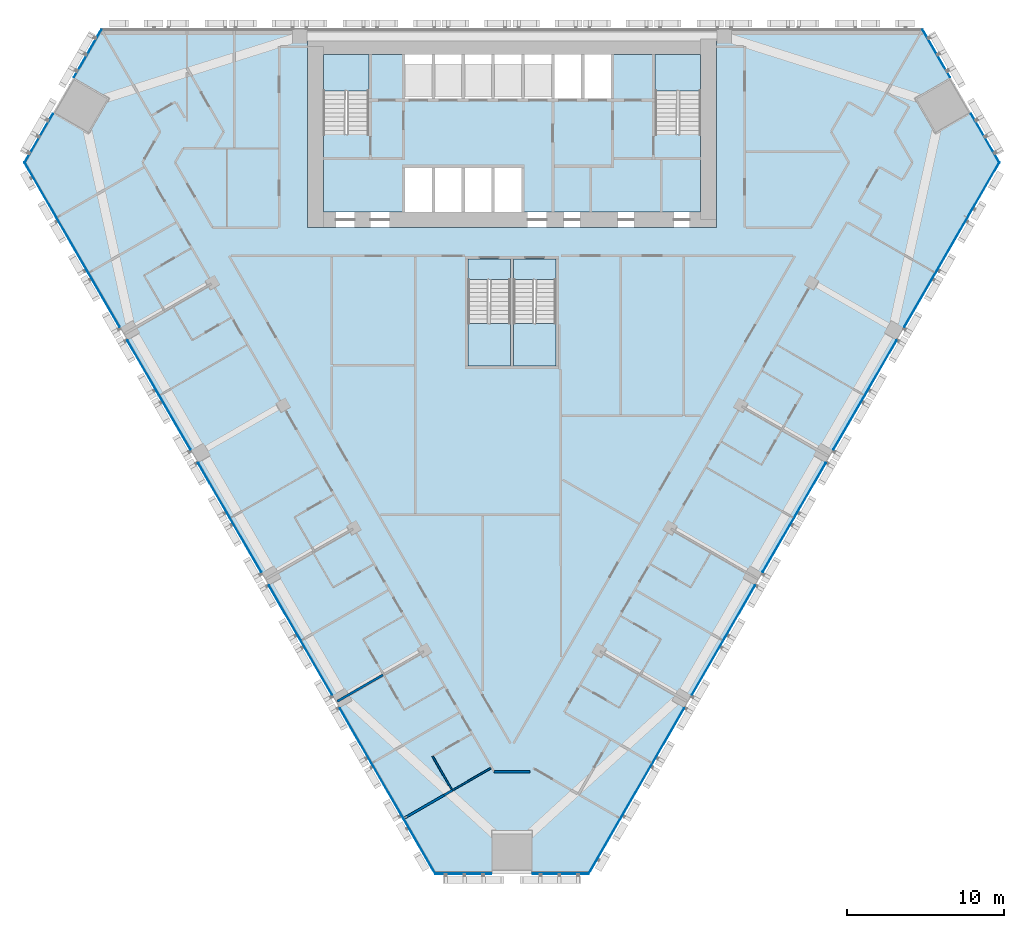
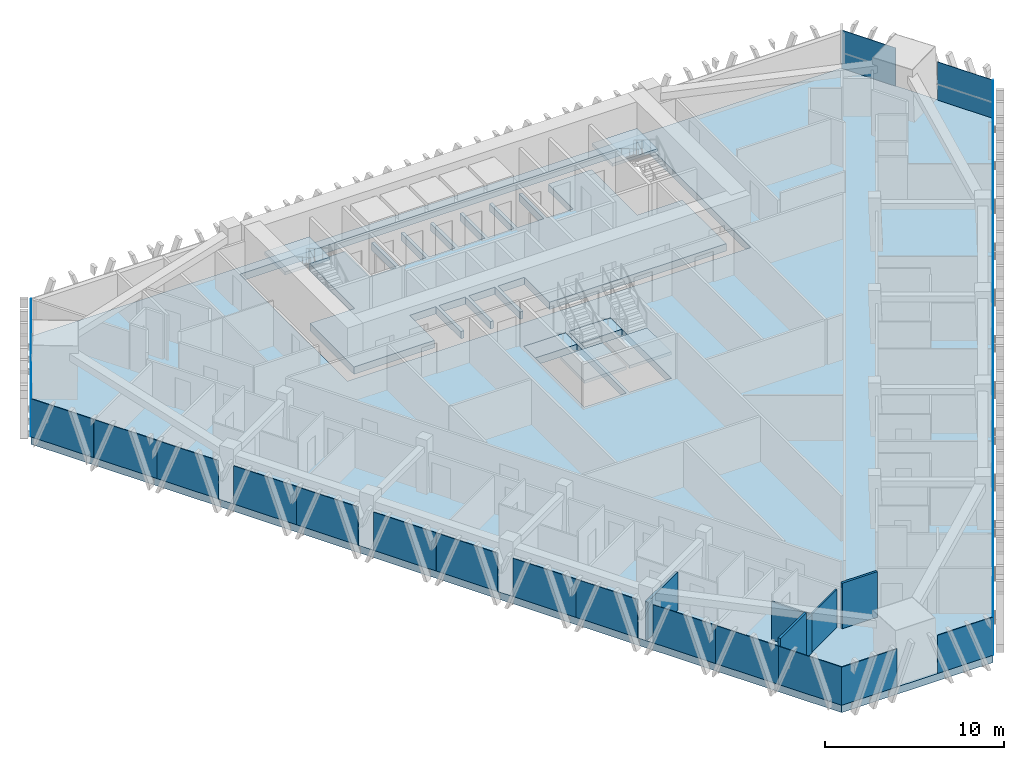
# One storey, part 9 of 18: 30 plates, 8 slabs, 6 walls, 9 elements without a shape of their own.
"""IFC4 building model written with IfcOpenShell, lengths in metres."""

from ifc_helpers import new_model, si_unit, direction, frame, frame_2d, origin, origin_2d, place, context, subcontext, project, spatial, polyline, rectangle, outline, extrude, material, layer, layer_set, type_object, element, aggregate, save


model = new_model("IFC4")

# Units and contexts
model_context = context("Model", 3, precision=1e-05, world=origin(), true_north=direction((0.0, 1.0)))
body_context = subcontext(model_context, "Body", "Model", "MODEL_VIEW")
ifc_project = project(units=[si_unit("LENGTHUNIT", "METRE"), si_unit("AREAUNIT", "SQUARE_METRE"), si_unit("VOLUMEUNIT", "CUBIC_METRE"), si_unit("PLANEANGLEUNIT", "RADIAN"), si_unit("MASSUNIT", "GRAM", prefix="KILO")], contexts=[model_context])

# Site, building, storey
site_placement = place(None, origin())
site = spatial("IfcSite", under=ifc_project, at=site_placement, CompositionType="ELEMENT")
building_placement = place(site_placement, origin())
building = spatial("IfcBuilding", under=site, at=building_placement, Name="Altiplano Prism Tower", CompositionType="ELEMENT")
storey_placement = place(building_placement, frame((0.0, 0.0, 37.800048828125)))
storey = spatial("IfcBuildingStorey", under=building, at=storey_placement, Name="L08", CompositionType="ELEMENT", Elevation=37.800048828125)

# Curtain wall, plates
ifc_material_1 = material(Name="Aluminium and glass", Category="aluminium")
ifc_layer_1 = layer(ifc_material_1, 0.280029296875)
ifc_layer_set_1 = layer_set([ifc_layer_1], Name="Aluminium and glass")
curtain_wall_type = type_object("IfcCurtainWallType", Name="CW1 typical co-living unitised curtain wall", PredefinedType="NOTDEFINED", material=ifc_layer_set_1)
curtain_wall_1_placement = place(storey_placement, origin())
curtain_wall_1 = element("IfcCurtainWall", 1, at=curtain_wall_1_placement, inside=storey, type_object=curtain_wall_type, Name="CW1 curtain wall north-west chamfer L08", PredefinedType="NOTDEFINED")
ifc_material_2 = material(Name="Clear glass", Category="glass")
ifc_layer_2 = layer(ifc_material_2, 0.0400390625)
ifc_layer_set_2 = layer_set([ifc_layer_2], Name="Clear glass")
plate_type = type_object("IfcPlateType", Name="CW1 insulated glass unit 40", PredefinedType="CURTAIN_PANEL", material=ifc_layer_set_2)
plate_1_placement = place(storey_placement, frame((58.01708984375, 103.472412109375, 0.0), z_axis=(0.0, 0.0, 1.0), x_axis=(-0.500000004958, -0.866025400922, 0.0)))
plate_1 = element("IfcPlate", 2, at=plate_1_placement, type_object=plate_type, Name="CW1 panel", PredefinedType="CURTAIN_PANEL", context=body_context, shape_type="SweptSolid", body=[
    extrude(rectangle(XDim=3.49462890625, YDim=0.0400390625, at=origin_2d()), origin(), (0.0, 0.0, 1.0), 2.60009765625),
])
plate_2_placement = place(storey_placement, frame((54.90478515625, 98.081787109375, 0.0), z_axis=(0.0, 0.0, 1.0), x_axis=(-0.500000004958, -0.866025400922, 0.0)))
plate_2 = element("IfcPlate", 3, at=plate_2_placement, type_object=plate_type, Name="CW1 panel", PredefinedType="CURTAIN_PANEL", context=body_context, shape_type="SweptSolid", body=[
    extrude(rectangle(XDim=3.574462890625, YDim=0.0400390625, at=origin_2d()), origin(), (0.0, 0.0, 1.0), 2.60009765625),
])
aggregate(curtain_wall_1, [plate_1, plate_2])

curtain_wall_2_placement = place(storey_placement, origin())
curtain_wall_2 = element("IfcCurtainWall", 4, at=curtain_wall_2_placement, inside=storey, type_object=curtain_wall_type, Name="CW1 curtain wall south-west face L08", PredefinedType="NOTDEFINED")
plate_3_placement = place(storey_placement, frame((55.024169921875, 94.790771484375, 0.0), z_axis=(0.0, 0.0, 1.0), x_axis=(0.499999990447, -0.8660254093, 0.0)))
plate_3 = element("IfcPlate", 5, at=plate_3_placement, type_object=plate_type, Name="CW1 panel", PredefinedType="CURTAIN_PANEL", context=body_context, shape_type="SweptSolid", body=[
    extrude(rectangle(XDim=4.052001953125, YDim=0.0400390625, at=origin_2d()), origin(), (0.0, 0.0, 1.0), 2.60009765625),
])
plate_4_placement = place(storey_placement, frame((57.05517578125, 91.27294921875, 0.0), z_axis=(0.0, 0.0, 1.0), x_axis=(0.499999990447, -0.8660254093, 0.0)))
plate_4 = element("IfcPlate", 6, at=plate_4_placement, type_object=plate_type, Name="CW1 panel", PredefinedType="CURTAIN_PANEL", context=body_context, shape_type="SweptSolid", body=[
    extrude(rectangle(XDim=4.052001953125, YDim=0.0400390625, at=origin_2d()), origin(), (0.0, 0.0, 1.0), 2.60009765625),
])
plate_5_placement = place(storey_placement, frame((59.0634765625, 87.794921875, 0.0), z_axis=(0.0, 0.0, 1.0), x_axis=(0.499999990447, -0.8660254093, 0.0)))
plate_5 = element("IfcPlate", 7, at=plate_5_placement, type_object=plate_type, Name="CW1 panel", PredefinedType="CURTAIN_PANEL", context=body_context, shape_type="SweptSolid", body=[
    extrude(rectangle(XDim=3.96044921875, YDim=0.0400390625, at=origin_2d()), origin(), (0.0, 0.0, 1.0), 2.60009765625),
])
plate_6_placement = place(storey_placement, frame((61.558349609375, 83.473388671875, 0.0), z_axis=(0.0, 0.0, 1.0), x_axis=(0.499999990447, -0.8660254093, 0.0)))
plate_6 = element("IfcPlate", 8, at=plate_6_placement, type_object=plate_type, Name="CW1 panel", PredefinedType="CURTAIN_PANEL", context=body_context, shape_type="SweptSolid", body=[
    extrude(rectangle(XDim=4.039306640625, YDim=0.0400390625, at=origin_2d()), origin(), (0.0, 0.0, 1.0), 2.60009765625),
])
plate_7_placement = place(storey_placement, frame((63.5634765625, 80.00048828125, 0.0), z_axis=(0.0, 0.0, 1.0), x_axis=(0.499999990447, -0.8660254093, 0.0)))
plate_7 = element("IfcPlate", 9, at=plate_7_placement, type_object=plate_type, Name="CW1 panel", PredefinedType="CURTAIN_PANEL", context=body_context, shape_type="SweptSolid", body=[
    extrude(rectangle(XDim=3.96044921875, YDim=0.0400390625, at=origin_2d()), origin(), (0.0, 0.0, 1.0), 2.60009765625),
])
plate_8_placement = place(storey_placement, frame((66.058349609375, 75.678955078125, 0.0), z_axis=(0.0, 0.0, 1.0), x_axis=(0.499999990447, -0.8660254093, 0.0)))
plate_8 = element("IfcPlate", 10, at=plate_8_placement, type_object=plate_type, Name="CW1 panel", PredefinedType="CURTAIN_PANEL", context=body_context, shape_type="SweptSolid", body=[
    extrude(rectangle(XDim=4.039306640625, YDim=0.0400390625, at=origin_2d()), origin(), (0.0, 0.0, 1.0), 2.60009765625),
])
plate_9_placement = place(storey_placement, frame((68.0634765625, 72.206298828125, 0.0), z_axis=(0.0, 0.0, 1.0), x_axis=(0.499999990447, -0.8660254093, 0.0)))
plate_9 = element("IfcPlate", 11, at=plate_9_placement, type_object=plate_type, Name="CW1 panel", PredefinedType="CURTAIN_PANEL", context=body_context, shape_type="SweptSolid", body=[
    extrude(rectangle(XDim=3.96044921875, YDim=0.0400390625, at=origin_2d()), origin(), (0.0, 0.0, 1.0), 2.60009765625),
])
plate_10_placement = place(storey_placement, frame((70.558349609375, 67.884765625, 0.0), z_axis=(0.0, 0.0, 1.0), x_axis=(0.499999990447, -0.8660254093, 0.0)))
plate_10 = element("IfcPlate", 12, at=plate_10_placement, type_object=plate_type, Name="CW1 panel", PredefinedType="CURTAIN_PANEL", context=body_context, shape_type="SweptSolid", body=[
    extrude(rectangle(XDim=4.039306640625, YDim=0.0400390625, at=origin_2d()), origin(), (0.0, 0.0, 1.0), 2.60009765625),
])
plate_11_placement = place(storey_placement, frame((72.5634765625, 64.412109375, 0.0), z_axis=(0.0, 0.0, 1.0), x_axis=(0.499999990447, -0.8660254093, 0.0)))
plate_11 = element("IfcPlate", 13, at=plate_11_placement, type_object=plate_type, Name="CW1 panel", PredefinedType="CURTAIN_PANEL", context=body_context, shape_type="SweptSolid", body=[
    extrude(rectangle(XDim=3.96044921875, YDim=0.0400390625, at=origin_2d()), origin(), (0.0, 0.0, 1.0), 2.60009765625),
])
plate_12_placement = place(storey_placement, frame((75.058349609375, 60.090576171875, 0.0), z_axis=(0.0, 0.0, 1.0), x_axis=(0.499999990447, -0.8660254093, 0.0)))
plate_12 = element("IfcPlate", 14, at=plate_12_placement, type_object=plate_type, Name="CW1 panel", PredefinedType="CURTAIN_PANEL", context=body_context, shape_type="SweptSolid", body=[
    extrude(rectangle(XDim=4.039306640625, YDim=0.0400390625, at=origin_2d()), origin(), (0.0, 0.0, 1.0), 2.60009765625),
])
plate_13_placement = place(storey_placement, frame((77.086181640625, 56.578369140625, 0.0), z_axis=(0.0, 0.0, 1.0), x_axis=(0.499999990447, -0.8660254093, 0.0)))
plate_13 = element("IfcPlate", 15, at=plate_13_placement, type_object=plate_type, Name="CW1 panel", PredefinedType="CURTAIN_PANEL", context=body_context, shape_type="SweptSolid", body=[
    extrude(rectangle(XDim=4.052001953125, YDim=0.0400390625, at=origin_2d()), origin(), (0.0, 0.0, 1.0), 2.60009765625),
])
plate_14_placement = place(storey_placement, frame((79.1171875, 53.060546875, 0.0), z_axis=(0.0, 0.0, 1.0), x_axis=(0.499999990447, -0.8660254093, 0.0)))
plate_14 = element("IfcPlate", 16, at=plate_14_placement, type_object=plate_type, Name="CW1 panel", PredefinedType="CURTAIN_PANEL", context=body_context, shape_type="SweptSolid", body=[
    extrude(rectangle(XDim=4.052001953125, YDim=0.0400390625, at=origin_2d()), origin(), (0.0, 0.0, 1.0), 2.60009765625),
])
aggregate(curtain_wall_2, [plate_3, plate_4, plate_5, plate_6, plate_7, plate_8, plate_9, plate_10, plate_11, plate_12, plate_13, plate_14])

curtain_wall_3_placement = place(storey_placement, origin())
curtain_wall_3 = element("IfcCurtainWall", 17, at=curtain_wall_3_placement, inside=storey, type_object=curtain_wall_type, Name="CW1 curtain wall south chamfer L08", PredefinedType="NOTDEFINED")
plate_15_placement = place(storey_placement, frame((81.90771484375, 51.3115234375, 0.0), z_axis=(0.0, 0.0, 1.0), x_axis=(1.0, 0.0, 0.0)))
plate_15 = element("IfcPlate", 18, at=plate_15_placement, type_object=plate_type, Name="CW1 panel", PredefinedType="CURTAIN_PANEL", context=body_context, shape_type="SweptSolid", body=[
    extrude(rectangle(XDim=3.574462890625, YDim=0.0400390625, at=origin_2d()), origin(), (0.0, 0.0, 1.0), 2.60009765625),
])
plate_16_placement = place(storey_placement, frame((88.09228515625, 51.3115234375, 0.0), z_axis=(0.0, 0.0, 1.0), x_axis=(1.0, 0.0, 0.0)))
plate_16 = element("IfcPlate", 19, at=plate_16_placement, type_object=plate_type, Name="CW1 panel", PredefinedType="CURTAIN_PANEL", context=body_context, shape_type="SweptSolid", body=[
    extrude(rectangle(XDim=3.574462890625, YDim=0.0400390625, at=origin_2d()), origin(), (0.0, 0.0, 1.0), 2.60009765625),
])
aggregate(curtain_wall_3, [plate_15, plate_16])

curtain_wall_4_placement = place(storey_placement, origin())
curtain_wall_4 = element("IfcCurtainWall", 20, at=curtain_wall_4_placement, inside=storey, type_object=curtain_wall_type, Name="CW1 curtain wall south-east face L08", PredefinedType="NOTDEFINED")
plate_17_placement = place(storey_placement, frame((90.8828125, 53.060546875, 0.0), z_axis=(0.0, 0.0, 1.0), x_axis=(0.499999990447, 0.8660254093, 0.0)))
plate_17 = element("IfcPlate", 21, at=plate_17_placement, type_object=plate_type, Name="CW1 panel", PredefinedType="CURTAIN_PANEL", context=body_context, shape_type="SweptSolid", body=[
    extrude(rectangle(XDim=4.052001953125, YDim=0.0400390625, at=origin_2d()), origin(), (0.0, 0.0, 1.0), 2.60009765625),
])
plate_18_placement = place(storey_placement, frame((92.913818359375, 56.578369140625, 0.0), z_axis=(0.0, 0.0, 1.0), x_axis=(0.499999990447, 0.8660254093, 0.0)))
plate_18 = element("IfcPlate", 22, at=plate_18_placement, type_object=plate_type, Name="CW1 panel", PredefinedType="CURTAIN_PANEL", context=body_context, shape_type="SweptSolid", body=[
    extrude(rectangle(XDim=4.052001953125, YDim=0.0400390625, at=origin_2d()), origin(), (0.0, 0.0, 1.0), 2.60009765625),
])
plate_19_placement = place(storey_placement, frame((94.941650390625, 60.090576171875, 0.0), z_axis=(0.0, 0.0, 1.0), x_axis=(0.499999990447, 0.8660254093, 0.0)))
plate_19 = element("IfcPlate", 23, at=plate_19_placement, type_object=plate_type, Name="CW1 panel", PredefinedType="CURTAIN_PANEL", context=body_context, shape_type="SweptSolid", body=[
    extrude(rectangle(XDim=4.039306640625, YDim=0.0400390625, at=origin_2d()), origin(), (0.0, 0.0, 1.0), 2.60009765625),
])
plate_20_placement = place(storey_placement, frame((97.4365234375, 64.412109375, 0.0), z_axis=(0.0, 0.0, 1.0), x_axis=(0.499999990447, 0.8660254093, 0.0)))
plate_20 = element("IfcPlate", 24, at=plate_20_placement, type_object=plate_type, Name="CW1 panel", PredefinedType="CURTAIN_PANEL", context=body_context, shape_type="SweptSolid", body=[
    extrude(rectangle(XDim=3.96044921875, YDim=0.0400390625, at=origin_2d()), origin(), (0.0, 0.0, 1.0), 2.60009765625),
])
plate_21_placement = place(storey_placement, frame((99.441650390625, 67.884765625, 0.0), z_axis=(0.0, 0.0, 1.0), x_axis=(0.499999990447, 0.8660254093, 0.0)))
plate_21 = element("IfcPlate", 25, at=plate_21_placement, type_object=plate_type, Name="CW1 panel", PredefinedType="CURTAIN_PANEL", context=body_context, shape_type="SweptSolid", body=[
    extrude(rectangle(XDim=4.039306640625, YDim=0.0400390625, at=origin_2d()), origin(), (0.0, 0.0, 1.0), 2.60009765625),
])
plate_22_placement = place(storey_placement, frame((101.9365234375, 72.206298828125, 0.0), z_axis=(0.0, 0.0, 1.0), x_axis=(0.499999990447, 0.8660254093, 0.0)))
plate_22 = element("IfcPlate", 26, at=plate_22_placement, type_object=plate_type, Name="CW1 panel", PredefinedType="CURTAIN_PANEL", context=body_context, shape_type="SweptSolid", body=[
    extrude(rectangle(XDim=3.96044921875, YDim=0.0400390625, at=origin_2d()), origin(), (0.0, 0.0, 1.0), 2.60009765625),
])
plate_23_placement = place(storey_placement, frame((103.941650390625, 75.678955078125, 0.0), z_axis=(0.0, 0.0, 1.0), x_axis=(0.499999990447, 0.8660254093, 0.0)))
plate_23 = element("IfcPlate", 27, at=plate_23_placement, type_object=plate_type, Name="CW1 panel", PredefinedType="CURTAIN_PANEL", context=body_context, shape_type="SweptSolid", body=[
    extrude(rectangle(XDim=4.039306640625, YDim=0.0400390625, at=origin_2d()), origin(), (0.0, 0.0, 1.0), 2.60009765625),
])
plate_24_placement = place(storey_placement, frame((106.4365234375, 80.00048828125, 0.0), z_axis=(0.0, 0.0, 1.0), x_axis=(0.499999990447, 0.8660254093, 0.0)))
plate_24 = element("IfcPlate", 28, at=plate_24_placement, type_object=plate_type, Name="CW1 panel", PredefinedType="CURTAIN_PANEL", context=body_context, shape_type="SweptSolid", body=[
    extrude(rectangle(XDim=3.96044921875, YDim=0.0400390625, at=origin_2d()), origin(), (0.0, 0.0, 1.0), 2.60009765625),
])
plate_25_placement = place(storey_placement, frame((108.441650390625, 83.473388671875, 0.0), z_axis=(0.0, 0.0, 1.0), x_axis=(0.499999990447, 0.8660254093, 0.0)))
plate_25 = element("IfcPlate", 29, at=plate_25_placement, type_object=plate_type, Name="CW1 panel", PredefinedType="CURTAIN_PANEL", context=body_context, shape_type="SweptSolid", body=[
    extrude(rectangle(XDim=4.039306640625, YDim=0.0400390625, at=origin_2d()), origin(), (0.0, 0.0, 1.0), 2.60009765625),
])
plate_26_placement = place(storey_placement, frame((110.9365234375, 87.794921875, 0.0), z_axis=(0.0, 0.0, 1.0), x_axis=(0.499999990447, 0.8660254093, 0.0)))
plate_26 = element("IfcPlate", 30, at=plate_26_placement, type_object=plate_type, Name="CW1 panel", PredefinedType="CURTAIN_PANEL", context=body_context, shape_type="SweptSolid", body=[
    extrude(rectangle(XDim=3.96044921875, YDim=0.0400390625, at=origin_2d()), origin(), (0.0, 0.0, 1.0), 2.60009765625),
])
plate_27_placement = place(storey_placement, frame((112.94482421875, 91.27294921875, 0.0), z_axis=(0.0, 0.0, 1.0), x_axis=(0.499999990447, 0.8660254093, 0.0)))
plate_27 = element("IfcPlate", 31, at=plate_27_placement, type_object=plate_type, Name="CW1 panel", PredefinedType="CURTAIN_PANEL", context=body_context, shape_type="SweptSolid", body=[
    extrude(rectangle(XDim=4.052001953125, YDim=0.0400390625, at=origin_2d()), origin(), (0.0, 0.0, 1.0), 2.60009765625),
])
plate_28_placement = place(storey_placement, frame((114.975830078125, 94.790771484375, 0.0), z_axis=(0.0, 0.0, 1.0), x_axis=(0.499999990447, 0.8660254093, 0.0)))
plate_28 = element("IfcPlate", 32, at=plate_28_placement, type_object=plate_type, Name="CW1 panel", PredefinedType="CURTAIN_PANEL", context=body_context, shape_type="SweptSolid", body=[
    extrude(rectangle(XDim=4.052001953125, YDim=0.0400390625, at=origin_2d()), origin(), (0.0, 0.0, 1.0), 2.60009765625),
])
aggregate(curtain_wall_4, [plate_17, plate_18, plate_19, plate_20, plate_21, plate_22, plate_23, plate_24, plate_25, plate_26, plate_27, plate_28])

curtain_wall_5_placement = place(storey_placement, origin())
curtain_wall_5 = element("IfcCurtainWall", 33, at=curtain_wall_5_placement, inside=storey, type_object=curtain_wall_type, Name="CW1 curtain wall north-east chamfer L08", PredefinedType="NOTDEFINED")
plate_29_placement = place(storey_placement, frame((115.09521484375, 98.081787109375, 0.0), z_axis=(0.0, 0.0, 1.0), x_axis=(-0.500000004958, 0.866025400922, 0.0)))
plate_29 = element("IfcPlate", 34, at=plate_29_placement, type_object=plate_type, Name="CW1 panel", PredefinedType="CURTAIN_PANEL", context=body_context, shape_type="SweptSolid", body=[
    extrude(rectangle(XDim=3.574462890625, YDim=0.0400390625, at=origin_2d()), origin(), (0.0, 0.0, 1.0), 2.60009765625),
])
plate_30_placement = place(storey_placement, frame((111.98291015625, 103.472412109375, 0.0), z_axis=(0.0, 0.0, 1.0), x_axis=(-0.500000004958, 0.866025400922, 0.0)))
plate_30 = element("IfcPlate", 35, at=plate_30_placement, type_object=plate_type, Name="CW1 panel", PredefinedType="CURTAIN_PANEL", context=body_context, shape_type="SweptSolid", body=[
    extrude(rectangle(XDim=3.49462890625, YDim=0.0400390625, at=origin_2d()), origin(), (0.0, 0.0, 1.0), 2.60009765625),
])
aggregate(curtain_wall_5, [plate_29, plate_30])

# Slabs
ifc_material_3 = material(Name="Concrete C40/50", Category="concrete")
ifc_layer_3 = layer(ifc_material_3, 0.5)
ifc_layer_set_3 = layer_set([ifc_layer_3], Name="Concrete C40/50")
slab_type_1 = type_object("IfcSlabType", Name="Core floor slab 500", PredefinedType="FLOOR", material=ifc_layer_set_3)
slab_1_placement = place(storey_placement, frame((0.0, 0.0, -0.5)))
element("IfcSlab", 36, at=slab_1_placement, inside=storey, type_object=slab_type_1, Name="Core floor slab L08", PredefinedType="FLOOR", context=body_context, shape_type="SweptSolid", body=[
    extrude(outline(polyline([(97.0, 98.31005859375), (94.10009765625, 98.31005859375), (94.10009765625, 103.39990234375), (91.300048828125, 103.39990234375), (91.300048828125, 100.60009765625), (89.60009765625, 100.60009765625), (89.60009765625, 103.39990234375), (89.39990234375, 103.39990234375), (89.39990234375, 100.60009765625), (87.699951171875, 100.60009765625), (87.699951171875, 103.39990234375), (87.5, 103.39990234375), (87.5, 100.60009765625), (85.800048828125, 100.60009765625), (85.800048828125, 103.39990234375), (85.60009765625, 103.39990234375), (85.60009765625, 100.60009765625), (83.89990234375, 100.60009765625), (83.89990234375, 103.39990234375), (83.699951171875, 103.39990234375), (83.699951171875, 100.60009765625), (82.0, 100.60009765625), (82.0, 103.39990234375), (81.800048828125, 103.39990234375), (81.800048828125, 100.60009765625), (80.10009765625, 100.60009765625), (80.10009765625, 103.39990234375), (79.89990234375, 103.39990234375), (79.89990234375, 100.60009765625), (78.199951171875, 100.60009765625), (78.199951171875, 103.39990234375), (75.89990234375, 103.39990234375), (75.89990234375, 98.31005859375), (73.0, 98.31005859375), (73.0, 93.39990234375), (78.199951171875, 93.39990234375), (78.199951171875, 96.199951171875), (79.89990234375, 96.199951171875), (79.89990234375, 93.39990234375), (80.10009765625, 93.39990234375), (80.10009765625, 96.199951171875), (81.800048828125, 96.199951171875), (81.800048828125, 93.39990234375), (82.0, 93.39990234375), (82.0, 96.199951171875), (83.699951171875, 96.199951171875), (83.699951171875, 93.39990234375), (83.89990234375, 93.39990234375), (83.89990234375, 96.199951171875), (85.60009765625, 96.199951171875), (85.60009765625, 93.39990234375), (97.0, 93.39990234375), (97.0, 98.31005859375)])), origin(), (0.0, 0.0, 1.0), 0.5),
])
slab_2_placement = place(storey_placement, frame((0.0, 0.0, -0.5)))
element("IfcSlab", 37, at=slab_2_placement, inside=storey, type_object=slab_type_1, Name="Stair 3A landing slab L08", PredefinedType="FLOOR", context=body_context, shape_type="SweptSolid", body=[
    extrude(outline(polyline([(82.199951171875, 89.096923828125), (84.89990234375, 89.096923828125), (84.89990234375, 90.39990234375), (82.199951171875, 90.39990234375), (82.199951171875, 89.096923828125)])), origin(), (0.0, 0.0, 1.0), 0.5),
])
slab_3_placement = place(storey_placement, frame((0.0, 0.0, -0.5)))
element("IfcSlab", 38, at=slab_3_placement, inside=storey, type_object=slab_type_1, Name="Stair 3B landing slab L08", PredefinedType="FLOOR", context=body_context, shape_type="SweptSolid", body=[
    extrude(outline(polyline([(85.10009765625, 89.096923828125), (87.800048828125, 89.096923828125), (87.800048828125, 90.39990234375), (85.10009765625, 90.39990234375), (85.10009765625, 89.096923828125)])), origin(), (0.0, 0.0, 1.0), 0.5),
])
ifc_layer_4 = layer(ifc_material_3, 0.5)
ifc_layer_set_4 = layer_set([ifc_layer_4], Name="Concrete C40/50")
slab_type_2 = type_object("IfcSlabType", Name="Post-tensioned flat slab 500", PredefinedType="FLOOR", material=ifc_layer_set_4)
slab_4_placement = place(storey_placement, frame((0.0, 0.0, -0.5)))
element("IfcSlab", 39, at=slab_4_placement, inside=storey, type_object=slab_type_2, Name="Floor slab L08", PredefinedType="FLOOR", context=body_context, shape_type="SweptSolid", body=[
    extrude(outline(polyline([(80.115478515625, 51.29150390625), (53.991455078125, 96.539794921875), (58.8759765625, 105.0), (111.1240234375, 105.0), (116.008544921875, 96.539794921875), (89.884521484375, 51.29150390625), (80.115478515625, 51.29150390625)]), holes=[polyline([(72.0, 104.39990234375), (72.0, 92.39990234375), (98.0, 92.39990234375), (98.0, 104.39990234375), (72.0, 104.39990234375)]), polyline([(84.89990234375, 90.39990234375), (82.199951171875, 90.39990234375), (82.199951171875, 83.60009765625), (84.89990234375, 83.60009765625), (84.89990234375, 90.39990234375)]), polyline([(87.800048828125, 83.60009765625), (87.800048828125, 90.39990234375), (85.10009765625, 90.39990234375), (85.10009765625, 83.60009765625), (87.800048828125, 83.60009765625)])]), origin(), (0.0, 0.0, 1.0), 0.5),
])

# Stair, slab
stair_type_1 = type_object("IfcStairType", Name="Exit stair 1400", PredefinedType="HALF_TURN_STAIR", material=ifc_material_3)
stair_1_placement = place(storey_placement, origin())
stair_1 = element("IfcStair", 40, at=stair_1_placement, inside=storey, type_object=stair_type_1, Name="L08 Exit Stair 1", PredefinedType="HALF_TURN_STAIR")
ifc_layer_5 = layer(ifc_material_3, 0.199951171875)
ifc_layer_set_5 = layer_set([ifc_layer_5], Name="Concrete C40/50")
slab_type_3 = type_object("IfcSlabType", Name="Stair landing 200", PredefinedType="LANDING", material=ifc_layer_set_5)
slab_5_placement = place(storey_placement, frame((0.0, 0.0, 1.599853515625)))
slab_5 = element("IfcSlab", 41, at=slab_5_placement, type_object=slab_type_3, Name="ST1 landing 1", PredefinedType="LANDING", context=body_context, shape_type="SweptSolid", body=[
    extrude(outline(polyline([(75.89990234375, 101.096923828125), (75.89990234375, 103.39990234375), (73.0, 103.39990234375), (73.0, 101.096923828125), (75.89990234375, 101.096923828125)])), origin(), (0.0, 0.0, 1.0), 0.2001953125),
])
aggregate(stair_1, [slab_5])

stair_2_placement = place(storey_placement, origin())
stair_2 = element("IfcStair", 42, at=stair_2_placement, inside=storey, type_object=stair_type_1, Name="L08 Exit Stair 2", PredefinedType="HALF_TURN_STAIR")
slab_6_placement = place(storey_placement, frame((0.0, 0.0, 1.599853515625)))
slab_6 = element("IfcSlab", 43, at=slab_6_placement, type_object=slab_type_3, Name="ST2 landing 1", PredefinedType="LANDING", context=body_context, shape_type="SweptSolid", body=[
    extrude(outline(polyline([(97.0, 101.096923828125), (97.0, 103.39990234375), (94.10009765625, 103.39990234375), (94.10009765625, 101.096923828125), (97.0, 101.096923828125)])), origin(), (0.0, 0.0, 1.0), 0.2001953125),
])
aggregate(stair_2, [slab_6])

stair_type_2 = type_object("IfcStairType", Name="Exit stair 1300", PredefinedType="HALF_TURN_STAIR", material=ifc_material_3)
stair_3_placement = place(storey_placement, origin())
stair_3 = element("IfcStair", 44, at=stair_3_placement, inside=storey, type_object=stair_type_2, Name="L08 Exit Stair 3A", PredefinedType="HALF_TURN_STAIR")
slab_7_placement = place(storey_placement, frame((0.0, 0.0, 1.599853515625)))
slab_7 = element("IfcSlab", 45, at=slab_7_placement, type_object=slab_type_3, Name="ST3A landing 1", PredefinedType="LANDING", context=body_context, shape_type="SweptSolid", body=[
    extrude(outline(polyline([(82.199951171875, 86.302978515625), (82.199951171875, 83.60009765625), (84.89990234375, 83.60009765625), (84.89990234375, 86.302978515625), (82.199951171875, 86.302978515625)])), origin(), (0.0, 0.0, 1.0), 0.2001953125),
])
aggregate(stair_3, [slab_7])

stair_4_placement = place(storey_placement, origin())
stair_4 = element("IfcStair", 46, at=stair_4_placement, inside=storey, type_object=stair_type_2, Name="L08 Exit Stair 3B", PredefinedType="HALF_TURN_STAIR")
slab_8_placement = place(storey_placement, frame((0.0, 0.0, 1.599853515625)))
slab_8 = element("IfcSlab", 47, at=slab_8_placement, type_object=slab_type_3, Name="ST3B landing 1", PredefinedType="LANDING", context=body_context, shape_type="SweptSolid", body=[
    extrude(outline(polyline([(85.10009765625, 86.302978515625), (85.10009765625, 83.60009765625), (87.800048828125, 83.60009765625), (87.800048828125, 86.302978515625), (85.10009765625, 86.302978515625)])), origin(), (0.0, 0.0, 1.0), 0.2001953125),
])
aggregate(stair_4, [slab_8])

# Walls
ifc_material_4 = material(Name="Plasterboard on steel stud", Category="steel")
ifc_layer_6 = layer(ifc_material_4, 0.10009765625)
ifc_layer_set_6 = layer_set([ifc_layer_6], Name="Plasterboard on steel stud")
wall_type_1 = type_object("IfcWallType", Name="Partition 100 unit", PredefinedType="PARTITIONING", material=ifc_layer_set_6)
wall_1_placement = place(storey_placement, frame((81.16455078125, 56.67431640625, 0.0), z_axis=(0.0, 0.0, 1.0), x_axis=(-0.499972286653, 0.866041403502, 0.0)))
element("IfcWall", 48, at=wall_1_placement, inside=storey, type_object=wall_type_1, Name="Partition P02 L08 074", PredefinedType="PARTITIONING", context=body_context, shape_type="SweptSolid", body=[
    extrude(rectangle(XDim=2.425048828125, YDim=0.10009765625, at=frame_2d((1.21240234375, 0.0))), origin(), (0.0, 0.0, 1.0), 2.599853515625),
])
ifc_layer_7 = layer(ifc_material_4, 0.10009765625)
ifc_layer_set_7 = layer_set([ifc_layer_7], Name="Plasterboard on steel stud")
wall_type_2 = type_object("IfcWallType", Name="Partition 100 wet", PredefinedType="PARTITIONING", material=ifc_layer_set_7)
wall_2_placement = place(storey_placement, frame((81.184814453125, 56.599365234375, 0.0), z_axis=(0.0, 0.0, 1.0), x_axis=(0.866011243319, 0.500024525844, 0.0)))
element("IfcWall", 49, at=wall_2_placement, inside=storey, type_object=wall_type_2, Name="Partition P03 L08 078", PredefinedType="PARTITIONING", context=body_context, shape_type="SweptSolid", body=[
    extrude(rectangle(XDim=2.844970703125, YDim=0.10009765625, at=frame_2d((1.42236328125, 0.0))), origin(), (0.0, 0.0, 1.0), 2.599853515625),
])
ifc_layer_8 = layer(ifc_material_4, 0.14990234375)
ifc_layer_set_8 = layer_set([ifc_layer_8], Name="Plasterboard on steel stud")
wall_type_3 = type_object("IfcWallType", Name="Partition 150 corridor", PredefinedType="PARTITIONING", material=ifc_layer_set_8)
wall_3_placement = place(storey_placement, frame((83.8681640625, 57.79150390625, 0.0), z_axis=(0.0, 0.0, 1.0), x_axis=(1.0, 0.0, 0.0)))
element("IfcWall", 50, at=wall_3_placement, inside=storey, type_object=wall_type_3, Name="Partition P06 L08 015", PredefinedType="PARTITIONING", context=body_context, shape_type="SweptSolid", body=[
    extrude(rectangle(XDim=2.263671875, YDim=0.14990234375, at=frame_2d((1.1318359375, 0.0))), origin(), (0.0, 0.0, 1.0), 3.099853515625),
])
ifc_layer_9 = layer(ifc_material_4, 0.14990234375)
ifc_layer_set_9 = layer_set([ifc_layer_9], Name="Plasterboard on steel stud")
wall_type_4 = type_object("IfcWallType", Name="Partition 150 party", PredefinedType="PARTITIONING", material=ifc_layer_set_9)
wall_4_placement = place(storey_placement, frame((73.89013671875, 62.2744140625, 0.0), z_axis=(0.0, 0.0, 1.0), x_axis=(0.86604601856, 0.499964292462, 0.0)))
element("IfcWall", 51, at=wall_4_placement, inside=storey, type_object=wall_type_4, Name="Partition P01 L08 070", PredefinedType="PARTITIONING", context=body_context, shape_type="SweptSolid", body=[
    extrude(rectangle(XDim=3.349853515625, YDim=0.14990234375, at=frame_2d((1.6748046875, 0.0))), origin(), (0.0, 0.0, 1.0), 2.599853515625),
])
wall_5_placement = place(storey_placement, frame((78.153564453125, 54.849365234375, 0.0), z_axis=(0.0, 0.0, 1.0), x_axis=(0.866057444692, 0.499944499413, 0.0)))
element("IfcWall", 52, at=wall_5_placement, inside=storey, type_object=wall_type_4, Name="Partition P01 L08 076", PredefinedType="PARTITIONING", context=body_context, shape_type="SweptSolid", body=[
    extrude(rectangle(XDim=2.918701171875, YDim=0.14990234375, at=frame_2d((1.45947265625, 0.0))), origin(), (0.0, 0.0, 1.0), 3.099853515625),
])
wall_6_placement = place(storey_placement, frame((80.681396484375, 56.30859375, 0.0), z_axis=(0.0, 0.0, 1.0), x_axis=(0.865936922628, 0.500153222552, 0.0)))
element("IfcWall", 53, at=wall_6_placement, inside=storey, type_object=wall_type_4, Name="Partition P01 L08 077", PredefinedType="PARTITIONING", context=body_context, shape_type="SweptSolid", body=[
    extrude(rectangle(XDim=0.621337890625, YDim=0.14990234375, at=frame_2d((0.310546875, 0.0))), origin(), (0.0, 0.0, 1.0), 2.599853515625),
])

save(model, "model.ifc")
